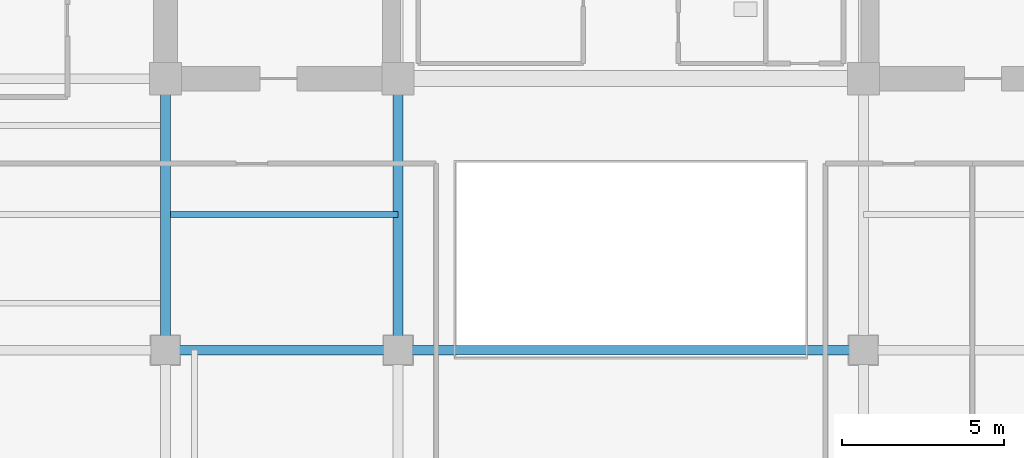
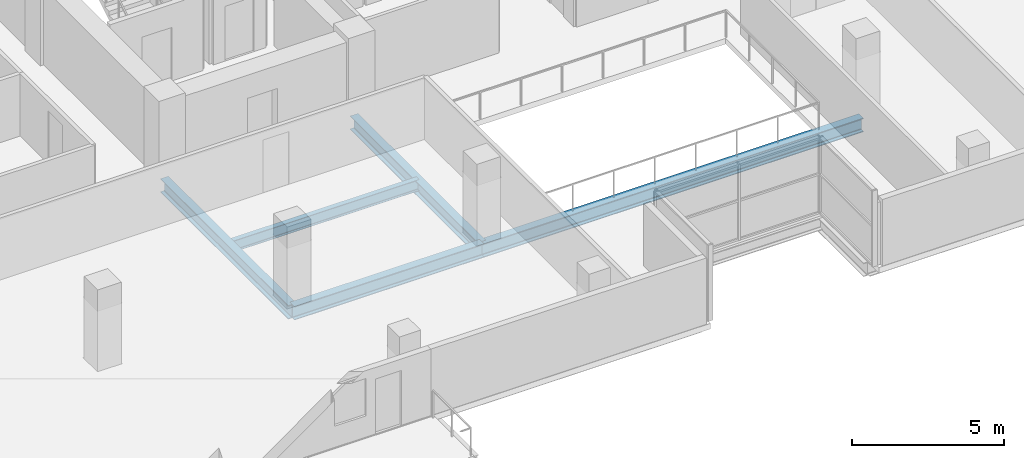
# One storey, part 5 of 28: 5 beams.
"""IFC4 building model written with IfcOpenShell, lengths in metres."""

import ifcopenshell
import ifcopenshell.guid

model = None  # the IFC model being written
_history = None  # IfcOwnerHistory: only IFC2X3 demands one
_inside = {}  # id of a spatial element -> (the spatial element, [elements in it])
_under = {}  # id of a project, library or spatial element -> (it, [spatial elements below it])
_declared = {}  # id of a project -> (the project, [libraries it declares])
_typed = {}  # id of a type object -> (the type object, [elements of that type])
_made_of = {}  # id of a material, layer set ... -> (it, [elements and type objects made of it])


def new_model(schema):
    """Start an empty IFC model of exactly this schema.

    Asked for "IFC4X3", IfcOpenShell would pick the latest addendum, in which some entities
    have other attributes; the version numbers below select the first issue.
    IFC2X3 requires an IfcOwnerHistory on every rooted entity: one is made here for all.
    """
    global model, _history
    if schema == "IFC4X3":
        model = ifcopenshell.file(schema_version=(4, 3, 0, 0))
    else:
        model = ifcopenshell.file(schema=schema)
    _inside.clear()
    _under.clear()
    _declared.clear()
    _typed.clear()
    _made_of.clear()
    _history = None
    if model.schema == "IFC2X3":
        org = make("IfcOrganization", Name="unknown")
        user = make(
            "IfcPersonAndOrganization",
            ThePerson=make("IfcPerson", FamilyName="unknown"),
            TheOrganization=org,
        )
        app = make(
            "IfcApplication",
            ApplicationDeveloper=org,
            Version="unknown",
            ApplicationFullName="unknown",
            ApplicationIdentifier="unknown",
        )
        _history = make(
            "IfcOwnerHistory",
            OwningUser=user,
            OwningApplication=app,
            ChangeAction="ADDED",
            CreationDate=0,
        )
    return model


def make(cls, **values):
    """One entity of the class cls with the attributes given. An attribute that is None is left unset."""
    return model.create_entity(
        cls, **{name: value for name, value in values.items() if value is not None}
    )


def rooted(cls, **values):
    """An entity with a GlobalId (a new one), such as an element, a storey or a relation."""
    return make(cls, GlobalId=ifcopenshell.guid.new(), OwnerHistory=_history, **values)


def si_unit(unit_type, name, prefix=None):
    """IfcSIUnit, for example si_unit("LENGTHUNIT", "METRE", prefix="MILLI")."""
    return make("IfcSIUnit", UnitType=unit_type, Prefix=prefix, Name=name)


def assignment(units):
    """IfcUnitAssignment: the units of a project."""
    return None if units is None else make("IfcUnitAssignment", Units=units)


def point(xyz):
    """IfcCartesianPoint."""
    return None if xyz is None else make("IfcCartesianPoint", Coordinates=xyz)


def direction(xyz):
    """IfcDirection."""
    return None if xyz is None else make("IfcDirection", DirectionRatios=xyz)


def frame(location, z_axis=None, x_axis=None):
    """IfcAxis2Placement3D, a coordinate frame: its origin and axes. An axis left out is left unset."""
    return make(
        "IfcAxis2Placement3D",
        Location=point(location),
        Axis=direction(z_axis),
        RefDirection=direction(x_axis),
    )


def frame_2d(location, x_axis=None):
    """IfcAxis2Placement2D, a coordinate frame in the plane: its origin and x axis."""
    return make(
        "IfcAxis2Placement2D", Location=point(location), RefDirection=direction(x_axis)
    )


def origin():
    """The frame at (0, 0, 0) with its axes left unset."""
    return frame((0.0, 0.0, 0.0))


def origin_2d():
    """The frame at (0, 0) in the plane with its x axis left unset."""
    return frame_2d((0.0, 0.0))


def place(relative_to, where):
    """IfcLocalPlacement: puts the frame where relative to a parent placement (None: the world)."""
    return make(
        "IfcLocalPlacement", PlacementRelTo=relative_to, RelativePlacement=where
    )


def context(
    kind, dimensions, precision=None, world=None, true_north=None, identifier=None
):
    """IfcGeometricRepresentationContext, for example the 3D "Model" context."""
    return make(
        "IfcGeometricRepresentationContext",
        ContextIdentifier=identifier,
        ContextType=kind,
        CoordinateSpaceDimension=dimensions,
        Precision=precision,
        WorldCoordinateSystem=world,
        TrueNorth=true_north,
    )


def subcontext(parent, identifier, kind, view, scale=None):
    """IfcGeometricRepresentationSubContext, for example "Body" below "Model"."""
    return make(
        "IfcGeometricRepresentationSubContext",
        ContextIdentifier=identifier,
        ContextType=kind,
        ParentContext=parent,
        TargetScale=scale,
        TargetView=view,
    )


def project(units=None, contexts=None):
    """IfcProject with its units and contexts."""
    return rooted(
        "IfcProject",
        Name="project",
        RepresentationContexts=contexts,
        UnitsInContext=assignment(units),
    )


def spatial(cls, under=None, at=None, **own):
    """A site, building, storey or space (cls), placed at a placement, below another one or the project."""
    s = rooted(cls, ObjectPlacement=at, **own)
    if under is not None:
        _under.setdefault(under.id(), (under, []))[1].append(s)
    return s


def profile(cls, at=None, kind="AREA", **sizes):
    """A parametric profile (cls). Its sizes go by their IFC names, for example OverallWidth=200.0."""
    return make(cls, ProfileType=kind, Position=at, **sizes)


def i_section(**sizes):
    """IfcIShapeProfileDef."""
    return profile("IfcIShapeProfileDef", **sizes)


def extrude(swept, where, along, depth):
    """IfcExtrudedAreaSolid: the profile swept, set in the frame where, extruded along a direction by depth."""
    return make(
        "IfcExtrudedAreaSolid",
        SweptArea=swept,
        Position=where,
        ExtrudedDirection=direction(along),
        Depth=depth,
    )


def shape(context_of_items, identifier, shape_type, items):
    """IfcShapeRepresentation: the items that make up one representation, for example the "Body"."""
    return make(
        "IfcShapeRepresentation",
        ContextOfItems=context_of_items,
        RepresentationIdentifier=identifier,
        RepresentationType=shape_type,
        Items=items,
    )


def material(Name=None, Category=None):
    """IfcMaterial."""
    return make("IfcMaterial", Name=Name, Category=Category)


def material_profile(
    of_material, cross_section, Name=None, Category=None, Priority=None
):
    """IfcMaterialProfile: a cross section and its material."""
    return make(
        "IfcMaterialProfile",
        Name=Name,
        Material=of_material,
        Profile=cross_section,
        Priority=Priority,
        Category=Category,
    )


def profile_set(profiles, Name=None, composite=None):
    """IfcMaterialProfileSet."""
    return make(
        "IfcMaterialProfileSet",
        Name=Name,
        MaterialProfiles=profiles,
        CompositeProfile=composite,
    )


def made_of(thing, what):
    """Note that an element or type object is made of a material, layer set ...; save() writes the relation."""
    if what is not None:
        _made_of.setdefault(what.id(), (what, []))[1].append(thing)
    return thing


def type_object(cls, material=None, **own):
    """A type object (cls), such as IfcWallType, which elements share."""
    return made_of(rooted(cls, **own), material)


def element(
    cls,
    number,
    at=None,
    inside=None,
    cuts=None,
    type_object=None,
    material=None,
    context=None,
    identifier="Body",
    shape_type=None,
    held_by="IfcProductDefinitionShape",
    body=None,
    shapes=None,
    **own,
):
    """One element of the class cls, such as IfcWall. Its Tag is "e" and its number.

    at: its placement. inside: the storey or other place that contains it. cuts: it is an
    opening in that element (IfcRelVoidsElement). A single representation is given by context,
    identifier, shape_type and body (its items); several are given by shapes. held_by: the class
    of the entity that holds the representations. save() writes the other relations.
    """
    e = rooted(cls, Tag="e%d" % number, ObjectPlacement=at, **own)
    if body is not None:
        shapes = [shape(context, identifier, shape_type, body)]
    if shapes is not None:
        e.Representation = make(held_by, Representations=shapes)
    if inside is not None:
        _inside.setdefault(inside.id(), (inside, []))[1].append(e)
    if cuts is not None:
        rooted(
            "IfcRelVoidsElement", RelatingBuildingElement=cuts, RelatedOpeningElement=e
        )
    if type_object is not None:
        _typed.setdefault(type_object.id(), (type_object, []))[1].append(e)
    return made_of(e, material)


def aggregate(whole, parts):
    """IfcRelAggregates: a whole, such as a stair, and the parts it consists of."""
    return rooted("IfcRelAggregates", RelatingObject=whole, RelatedObjects=parts)


def save(model, path):
    """Write the relations noted so far, then the file.

    IfcRelAggregates (storeys below a building ...), IfcRelContainedInSpatialStructure (elements
    in a storey), IfcRelDefinesByType, IfcRelAssociatesMaterial and IfcRelDeclares: one each for
    every whole, place, type object, material and project.
    """
    for whole, parts in _under.values():
        aggregate(whole, parts)
    for where, things in _inside.values():
        rooted(
            "IfcRelContainedInSpatialStructure",
            RelatedElements=things,
            RelatingStructure=where,
        )
    for kind, things in _typed.values():
        rooted("IfcRelDefinesByType", RelatedObjects=things, RelatingType=kind)
    for what, things in _made_of.values():
        rooted("IfcRelAssociatesMaterial", RelatedObjects=things, RelatingMaterial=what)
    for by, libraries in _declared.values():
        rooted("IfcRelDeclares", RelatingContext=by, RelatedDefinitions=libraries)
    model.write(path)


model = new_model("IFC4")

# Units and contexts
model_context = context("Model", 3, precision=1e-05, world=origin(), true_north=direction((0.0, 1.0)))
body_context = subcontext(model_context, "Body", "Model", "MODEL_VIEW")
ifc_project = project(units=[si_unit("LENGTHUNIT", "METRE"), si_unit("AREAUNIT", "SQUARE_METRE"), si_unit("VOLUMEUNIT", "CUBIC_METRE"), si_unit("PLANEANGLEUNIT", "RADIAN"), si_unit("MASSUNIT", "GRAM", prefix="KILO")], contexts=[model_context])

# Site, building, storey
site_placement = place(None, origin())
site = spatial("IfcSite", under=ifc_project, at=site_placement, CompositionType="ELEMENT")
building_placement = place(site_placement, origin())
building = spatial("IfcBuilding", under=site, at=building_placement, Name="Zarnakvel Exchange Tower", CompositionType="ELEMENT")
storey_placement = place(building_placement, frame((0.0, 0.0, 109.89990234375)))
storey = spatial("IfcBuildingStorey", under=building, at=storey_placement, Name="L30", CompositionType="ELEMENT", Elevation=109.89990234375)

# Beams
ifc_material = material(Name="Steel S355", Category="steel")
ifc_material_profile_1 = material_profile(ifc_material, i_section(OverallWidth=0.18994140625, OverallDepth=0.449951171875, WebThickness=0.009521484375, FlangeThickness=0.0146484375, FilletRadius=0.02099609375, at=origin_2d()))
ifc_profile_set_1 = profile_set([ifc_material_profile_1], Name="Steel S355")
beam_type_1 = type_object("IfcBeamType", Name="B-05", PredefinedType="JOIST", material=ifc_profile_set_1)
beam_1_placement = place(storey_placement, frame((-14.25, -5.39990234375, -0.449951171875), z_axis=(1.0, 0.0, 0.0), x_axis=(0.0, 1.0, 0.0)))
element("IfcBeam", 1, at=beam_1_placement, inside=storey, type_object=beam_type_1, Name="L30 Composite Floor Secondary Joist", PredefinedType="JOIST", context=body_context, shape_type="SweptSolid", body=[
    extrude(i_section(OverallWidth=0.18994140625, OverallDepth=0.449951171875, WebThickness=0.009521484375, FlangeThickness=0.0146484375, FilletRadius=0.02099609375, at=origin_2d()), origin(), (0.0, 0.0, 1.0), 7.050048828125),
])
ifc_material_profile_2 = material_profile(ifc_material, i_section(OverallWidth=0.300048828125, OverallDepth=0.550048828125, WebThickness=0.014892578125, FlangeThickness=0.029052734375, FilletRadius=0.027099609375, at=origin_2d()))
ifc_profile_set_2 = profile_set([ifc_material_profile_2], Name="Steel S355")
beam_type_2 = type_object("IfcBeamType", Name="G-05", PredefinedType="BEAM", material=ifc_profile_set_2)
beam_2_placement = place(storey_placement, frame((-14.39990234375, -9.60009765625, -0.5), z_axis=(1.0, 0.0, 0.0), x_axis=(0.0, 1.0, 0.0)))
element("IfcBeam", 2, at=beam_2_placement, inside=storey, type_object=beam_type_2, Name="L30 Tower E-W Frame Beam", PredefinedType="BEAM", context=body_context, shape_type="SweptSolid", body=[
    extrude(i_section(OverallWidth=0.300048828125, OverallDepth=0.550048828125, WebThickness=0.014892578125, FlangeThickness=0.029052734375, FilletRadius=0.027099609375, at=origin_2d()), origin(), (0.0, 0.0, 1.0), 7.199951171875),
])
beam_3_placement = place(storey_placement, frame((-7.199951171875, -9.60009765625, -0.5), z_axis=(1.0, 0.0, 0.0), x_axis=(0.0, 1.0, 0.0)))
element("IfcBeam", 3, at=beam_3_placement, inside=storey, type_object=beam_type_2, Name="L30 Tower E-W Frame Beam", PredefinedType="BEAM", context=body_context, shape_type="SweptSolid", body=[
    extrude(i_section(OverallWidth=0.300048828125, OverallDepth=0.550048828125, WebThickness=0.014892578125, FlangeThickness=0.029052734375, FilletRadius=0.027099609375, at=origin_2d()), origin(), (0.0, 0.0, 1.0), 14.39990234375),
])
for number, where, z_axis, x_axis, name in (
    (4, (-14.39990234375, -9.60009765625, -0.5), (0.0, 1.0, 0.0), (-1.0, 0.0, 0.0), "L30 Tower N-S Frame Beam"),
    (5, (-7.199951171875, -9.60009765625, -0.5), (0.0, 1.0, 0.0), (-1.0, 0.0, 0.0), "L30 Tower N-S Frame Beam"),
):
    element("IfcBeam", number, at=place(storey_placement, frame(where, z_axis=z_axis, x_axis=x_axis)), inside=storey, type_object=beam_type_2, Name=name, PredefinedType="BEAM", context=body_context, shape_type="SweptSolid", body=[
        extrude(i_section(OverallWidth=0.300048828125, OverallDepth=0.550048828125, WebThickness=0.014892578125, FlangeThickness=0.029052734375, FilletRadius=0.027099609375, at=origin_2d()), origin(), (0.0, 0.0, 1.0), 8.400146484375),
    ])

save(model, "model.ifc")
